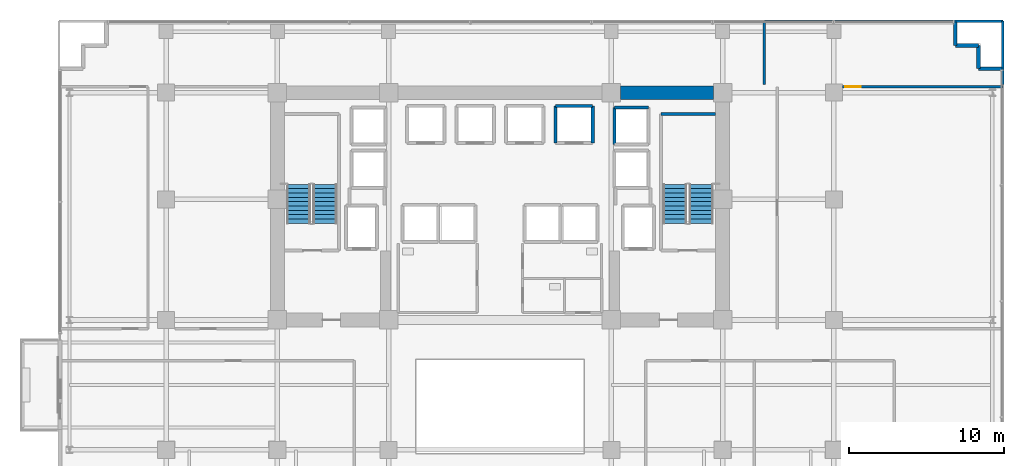
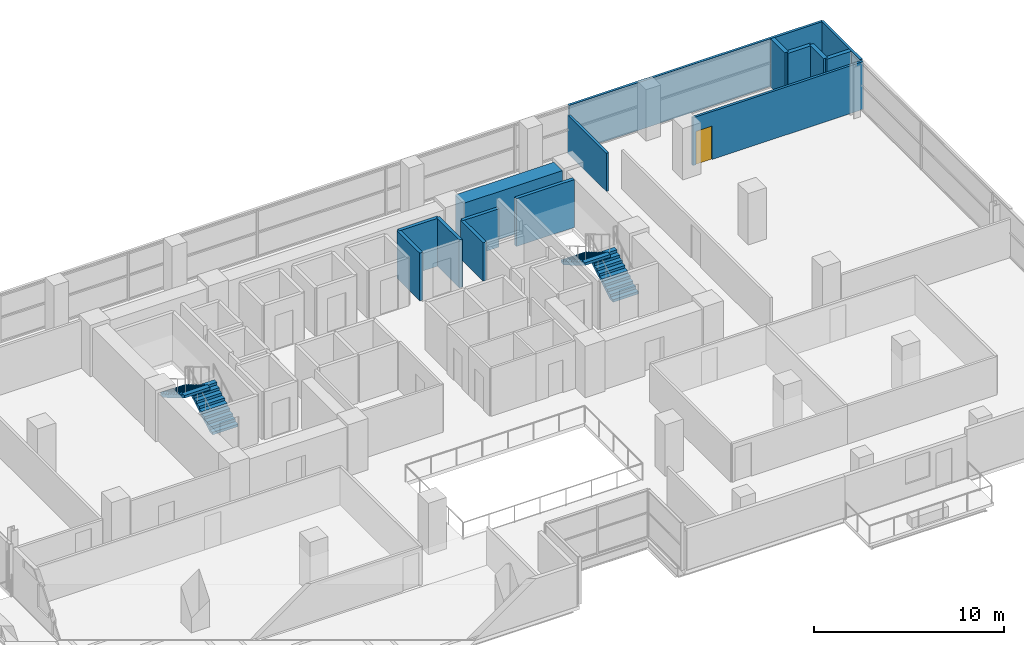
# One storey, part 27 of 31: 15 walls, 4 stair flights, 1 door, 1 opening, 2 elements without a shape of their own.
"""IFC4 building model written with IfcOpenShell, lengths in metres."""

from ifc_helpers import new_model, si_unit, direction, frame, frame_2d, origin, place, context, subcontext, project, spatial, polyline, rectangle, outline, extrude, source, transform, mapped, material, layer, layer_set, type_object, element, fill, aggregate, save


model = new_model("IFC4")

# Units and contexts
model_context = context("Model", 3, precision=1e-05, world=origin(), true_north=direction((0.0, 1.0)))
body_context = subcontext(model_context, "Body", "Model", "MODEL_VIEW")
ifc_project = project(units=[si_unit("LENGTHUNIT", "METRE"), si_unit("AREAUNIT", "SQUARE_METRE"), si_unit("VOLUMEUNIT", "CUBIC_METRE"), si_unit("PLANEANGLEUNIT", "RADIAN"), si_unit("MASSUNIT", "GRAM", prefix="KILO")], contexts=[model_context])

# Site, building, storey
site_placement = place(None, origin())
site = spatial("IfcSite", under=ifc_project, at=site_placement, CompositionType="ELEMENT")
building_placement = place(site_placement, origin())
building = spatial("IfcBuilding", under=site, at=building_placement, Name="Zarnakvel Exchange Tower", CompositionType="ELEMENT")
storey_placement = place(building_placement, frame((0.0, 0.0, 60.39990234375)))
storey = spatial("IfcBuildingStorey", under=building, at=storey_placement, Name="L16", CompositionType="ELEMENT", Elevation=60.39990234375)

# Walls
ifc_material_1 = material(Name="Concrete C80/95", Category="concrete")
ifc_layer_1 = layer(ifc_material_1, 0.89990234375)
ifc_layer_set_1 = layer_set([ifc_layer_1], Name="Concrete C80/95")
wall_type_1 = type_object("IfcWallType", Name="CW-C1", PredefinedType="SHEAR", material=ifc_layer_set_1)
wall_1_placement = place(storey_placement, frame((7.800048828125, 13.5, 0.0), z_axis=(0.0, 0.0, 1.0), x_axis=(1.0, 0.0, 0.0)))
element("IfcWall", 1, at=wall_1_placement, inside=storey, type_object=wall_type_1, Name="L16 Rear Core Shear Wall N3 (CW-C1)", PredefinedType="SHEAR", context=body_context, shape_type="SweptSolid", body=[
    extrude(rectangle(XDim=6.0, YDim=0.89990234375, at=frame_2d((3.0, 0.0))), origin(), (0.0, 0.0, 1.0), 3.0751953125),
])
ifc_material_2 = material(Name="Precast concrete C40/50", Category="concrete")
ifc_layer_2 = layer(ifc_material_2, 0.239990234375)
ifc_layer_set_2 = layer_set([ifc_layer_2], Name="Precast concrete C40/50")
wall_type_2 = type_object("IfcWallType", Name="EW-02", PredefinedType="SOLIDWALL", material=ifc_layer_set_2)
for number, where, z_axis, x_axis, name in (
    (2, (29.4599609375, 16.56005859375, 0.0), (0.0, 0.0, 1.0), (0.0, 1.0, 0.0), "L16 Exterior Precast Spandrel Wall EWC-L16-07 (EW-02)"),
    (3, (30.9599609375, 16.56005859375, 0.0), (0.0, 0.0, 1.0), (-1.0, 0.0, 0.0), "L16 Exterior Precast Spandrel Wall EWC-L16-08 (EW-02)"),
    (4, (30.9599609375, 15.06005859375, 0.0), (0.0, 0.0, 1.0), (0.0, 1.0, 0.0), "L16 Exterior Precast Spandrel Wall EWC-L16-09 (EW-02)"),
    (5, (32.4599609375, 15.06005859375, 0.0), (0.0, 0.0, 1.0), (-1.0, 0.0, 0.0), "L16 Exterior Precast Spandrel Wall EWC-L16-10 (EW-02)"),
):
    element("IfcWall", number, at=place(storey_placement, frame(where, z_axis=z_axis, x_axis=x_axis)), inside=storey, type_object=wall_type_2, Name=name, PredefinedType="SOLIDWALL", context=body_context, shape_type="SweptSolid", body=[
        extrude(rectangle(XDim=1.5, YDim=0.239990234375, at=frame_2d((0.75, 0.0))), origin(), (0.0, 0.0, 1.0), 3.0751953125),
    ])

# Wall, opening, door
ifc_material_3 = material(Name="Fire-Rated Gypsum Stud Partition", Category="gypsum")
ifc_layer_3 = layer(ifc_material_3, 0.14990234375)
ifc_layer_set_3 = layer_set([ifc_layer_3], Name="Fire-Rated Gypsum Stud Partition")
wall_type_3 = type_object("IfcWallType", Name="PT-01", PredefinedType="PARTITIONING", material=ifc_layer_set_3)
wall_2_placement = place(storey_placement, frame((22.169921875, 13.8798828125, 0.0), z_axis=(0.0, 0.0, 1.0), x_axis=(1.0, 0.0, 0.0)))
wall_2 = element("IfcWall", 6, at=wall_2_placement, inside=storey, type_object=wall_type_3, Name="L16 Partition Wall PWALL-L16-046 (PT-01)", PredefinedType="PARTITIONING", context=body_context, shape_type="SweptSolid", body=[
    extrude(rectangle(XDim=10.360107421875, YDim=0.14990234375, at=frame_2d((5.18017578125, 0.0))), origin(), (0.0, 0.0, 1.0), 3.0751953125),
])
opening_placement = place(wall_2_placement, frame((0.179931640625, 0.0, 0.0)))
opening = element("IfcOpeningElement", 7, at=opening_placement, cuts=wall_2, Name="Opening D-L16-18", PredefinedType="OPENING", context=body_context, shape_type="SweptSolid", body=[
    extrude(rectangle(XDim=0.97998046875, YDim=2.14990234375, at=frame_2d((0.489990234375, 1.074951171875))), frame((0.0, 0.0849609375, 0.0), z_axis=(0.0, -1.0, 0.0), x_axis=(1.0, 0.0, 0.0)), (0.0, 0.0, 1.0), 0.169921875),
])
ifc_material_4 = material(Name="Timber Acoustic Veneer", Category="wood")
door_type = type_object("IfcDoorType", Name="DT-05", OperationType="NOTDEFINED", PredefinedType="DOOR", material=ifc_material_4)
shared_shape = source(origin(), body_context, "Body", "SweptSolid", [
    extrude(rectangle(XDim=0.97998046875, YDim=2.14990234375, at=frame_2d((0.489990234375, 1.074951171875))), frame((0.0, 0.02490234375, 0.0), z_axis=(0.0, -1.0, 0.0), x_axis=(1.0, 0.0, 0.0)), (0.0, 0.0, 1.0), 0.050048828125),
])
door_placement = place(opening_placement, origin())
door = element("IfcDoor", 8, at=door_placement, inside=storey, type_object=door_type, Name="L16 Breakout Lounge Door D-L16-18", OperationType="SINGLE_SWING_RIGHT", OverallHeight=2.14990234375, OverallWidth=0.97998046875, PredefinedType="DOOR", context=body_context, shape_type="MappedRepresentation", body=[
    mapped(shared_shape, transform((0.0, 0.0, 0.0), x_axis=(1.0, 0.0, 0.0), y_axis=(0.0, 1.0, 0.0), z_axis=(0.0, 0.0, 1.0), scale=1.0)),
])
fill(opening, door)

# Walls
wall_3_placement = place(storey_placement, frame((17.10009765625, 18.1298828125, 0.0), z_axis=(0.0, 0.0, 1.0), x_axis=(0.0, -1.0, 0.0)))
element("IfcWall", 9, at=wall_3_placement, inside=storey, type_object=wall_type_3, Name="L16 Partition Wall PWALL-L16-051 (PT-01)", PredefinedType="PARTITIONING", context=body_context, shape_type="SweptSolid", body=[
    extrude(rectangle(XDim=4.099853515625, YDim=0.14990234375, at=frame_2d((2.0498046875, 0.0))), origin(), (0.0, 0.0, 1.0), 2.465087890625),
])
wall_4_placement = place(storey_placement, frame((17.10009765625, 18.1298828125, 0.0), z_axis=(0.0, 0.0, 1.0), x_axis=(1.0, 0.0, 0.0)))
element("IfcWall", 10, at=wall_4_placement, inside=storey, type_object=wall_type_3, Name="L16 Partition Wall PWALL-L16-052 (PT-01)", PredefinedType="PARTITIONING", context=body_context, shape_type="SweptSolid", body=[
    extrude(rectangle(XDim=15.429931640625, YDim=0.14990234375, at=frame_2d((7.71484375, 0.0))), origin(), (0.0, 0.0, 1.0), 3.0751953125),
])
wall_5_placement = place(storey_placement, frame((32.530029296875, 18.1298828125, 0.0), z_axis=(0.0, 0.0, 1.0), x_axis=(0.0, -1.0, 0.0)))
element("IfcWall", 11, at=wall_5_placement, inside=storey, type_object=wall_type_3, Name="L16 Partition Wall PWALL-L16-053 (PT-01)", PredefinedType="PARTITIONING", context=body_context, shape_type="SweptSolid", body=[
    extrude(rectangle(XDim=4.099853515625, YDim=0.14990234375, at=frame_2d((2.0498046875, 0.0))), origin(), (0.0, 0.0, 1.0), 3.0751953125),
])
ifc_material_5 = material(Name="Concrete C40/50", Category="concrete")
ifc_layer_4 = layer(ifc_material_5, 0.199951171875)
ifc_layer_set_4 = layer_set([ifc_layer_4], Name="Concrete C40/50")
wall_type_4 = type_object("IfcWallType", Name="SW-01", PredefinedType="SOLIDWALL", material=ifc_layer_set_4)
for number, where, z_axis, x_axis, name in (
    (12, (3.60009765625, 12.64990234375, 0.0), (0.0, 0.0, 1.0), (1.0, 0.0, 0.0), "L16 PL-04 Hoistway Wall North"),
    (13, (3.60009765625, 10.25, 0.0), (0.0, 0.0, 1.0), (0.0, 1.0, 0.0), "L16 PL-04 Hoistway Wall West"),
    (14, (6.0, 12.64990234375, 0.0), (0.0, 0.0, 1.0), (0.0, -1.0, 0.0), "L16 PL-04 Hoistway Wall East"),
):
    element("IfcWall", number, at=place(storey_placement, frame(where, z_axis=z_axis, x_axis=x_axis)), inside=storey, type_object=wall_type_4, Name=name, PredefinedType="SOLIDWALL", context=body_context, shape_type="SweptSolid", body=[
        extrude(rectangle(XDim=2.39990234375, YDim=0.199951171875, at=frame_2d((1.199951171875, 0.0))), origin(), (0.0, 0.0, 1.0), 3.0751953125),
    ])
wall_6_placement = place(storey_placement, frame((7.39990234375, 12.550048828125, 0.0), z_axis=(0.0, 0.0, 1.0), x_axis=(1.0, 0.0, 0.0)))
element("IfcWall", 15, at=wall_6_placement, inside=storey, type_object=wall_type_4, Name="L16 PL-12 Hoistway Wall North", PredefinedType="SOLIDWALL", context=body_context, shape_type="SweptSolid", body=[
    extrude(rectangle(XDim=2.2001953125, YDim=0.199951171875, at=frame_2d((1.10009765625, 0.0))), origin(), (0.0, 0.0, 1.0), 2.465087890625),
])
wall_7_placement = place(storey_placement, frame((7.39990234375, 10.14990234375, 0.0), z_axis=(0.0, 0.0, 1.0), x_axis=(0.0, 1.0, 0.0)))
element("IfcWall", 16, at=wall_7_placement, inside=storey, type_object=wall_type_4, Name="L16 PL-12 Hoistway Wall West", PredefinedType="SOLIDWALL", context=body_context, shape_type="SweptSolid", body=[
    extrude(rectangle(XDim=2.400146484375, YDim=0.199951171875, at=frame_2d((1.2001953125, 0.0))), origin(), (0.0, 0.0, 1.0), 2.465087890625),
])
ifc_layer_5 = layer(ifc_material_5, 0.199951171875)
ifc_layer_set_5 = layer_set([ifc_layer_5], Name="Concrete C40/50")
wall_type_5 = type_object("IfcWallType", Name="SW-02", PredefinedType="SOLIDWALL", material=ifc_layer_set_5)
wall_8_placement = place(storey_placement, frame((10.409912109375, 12.1298828125, 0.0), z_axis=(0.0, 0.0, 1.0), x_axis=(1.0, 0.0, 0.0)))
element("IfcWall", 17, at=wall_8_placement, inside=storey, type_object=wall_type_5, Name="L16 Stairwell Core Wall PWALL-L16-005 (SW-02)", PredefinedType="SOLIDWALL", context=body_context, shape_type="SweptSolid", body=[
    extrude(rectangle(XDim=3.52001953125, YDim=0.199951171875, at=frame_2d((1.760009765625, 0.0))), origin(), (0.0, 0.0, 1.0), 3.0751953125),
])

# Stair, stair flights
stair_type = type_object("IfcStairType", Name="STR-01", PredefinedType="HALF_TURN_STAIR", material=ifc_material_5)
stair_1_placement = place(storey_placement, origin())
stair_1 = element("IfcStair", 18, at=stair_1_placement, inside=storey, type_object=stair_type, Name="L16 Protected Core Exit Stair ST-01", PredefinedType="HALF_TURN_STAIR")
stair_flight_type = type_object("IfcStairFlightType", Name="FLT-01", PredefinedType="STRAIGHT", material=ifc_material_5)
stair_flight_1_placement = place(storey_placement, frame((-11.31494140625, 5.050048828125, 0.0), z_axis=(0.0, 0.0, 1.0), x_axis=(0.0, 1.0, 0.0)))
stair_flight_1 = element("IfcStairFlight", 19, at=stair_flight_1_placement, type_object=stair_flight_type, Name="ST-01 flight 1", NumberOfRisers=10, NumberOfTreads=9, PredefinedType="STRAIGHT", RiserHeight=0.165, TreadLength=0.28, context=body_context, shape_type="SweptSolid", body=[
    extrude(outline(polyline([(0.0, 0.0), (0.0, 0.1650390625), (0.280029296875, 0.1650390625), (0.280029296875, 0.330078125), (0.56005859375, 0.330078125), (0.56005859375, 0.4951171875), (0.840087890625, 0.4951171875), (0.840087890625, 0.659912109375), (1.1201171875, 0.659912109375), (1.1201171875, 0.824951171875), (1.39990234375, 0.824951171875), (1.39990234375, 0.989990234375), (1.679931640625, 0.989990234375), (1.679931640625, 1.155029296875), (1.9599609375, 1.155029296875), (1.9599609375, 1.320068359375), (2.239990234375, 1.320068359375), (2.239990234375, 1.485107421875), (2.52001953125, 1.485107421875), (2.52001953125, 1.64990234375), (2.52001953125, 1.31103515625), (0.295166015625, 0.0), (0.0, 0.0)])), frame((0.0, 0.77490234375, 0.0), z_axis=(0.0, -1.0, 0.0), x_axis=(1.0, 0.0, 0.0)), (0.0, 0.0, 1.0), 1.550048828125),
])
stair_flight_2_placement = place(storey_placement, frame((-13.02490234375, 7.570068359375, 1.650146484375), z_axis=(0.0, 0.0, 1.0), x_axis=(0.0, -1.0, 0.0)))
stair_flight_2 = element("IfcStairFlight", 20, at=stair_flight_2_placement, type_object=stair_flight_type, Name="ST-01 flight 2", NumberOfRisers=10, NumberOfTreads=9, PredefinedType="STRAIGHT", RiserHeight=0.165, TreadLength=0.28, context=body_context, shape_type="SweptSolid", body=[
    extrude(outline(polyline([(0.0, 0.0), (0.0, 0.1650390625), (0.280029296875, 0.1650390625), (0.280029296875, 0.330078125), (0.56005859375, 0.330078125), (0.56005859375, 0.4951171875), (0.840087890625, 0.4951171875), (0.840087890625, 0.659912109375), (1.1201171875, 0.659912109375), (1.1201171875, 0.824951171875), (1.39990234375, 0.824951171875), (1.39990234375, 0.989990234375), (1.679931640625, 0.989990234375), (1.679931640625, 1.155029296875), (1.9599609375, 1.155029296875), (1.9599609375, 1.320068359375), (2.239990234375, 1.320068359375), (2.239990234375, 1.485107421875), (2.52001953125, 1.485107421875), (2.52001953125, 1.64990234375), (2.52001953125, 1.31103515625), (0.295166015625, 0.0), (0.0, 0.0)])), frame((0.0, 0.77490234375, 0.0), z_axis=(0.0, -1.0, 0.0), x_axis=(1.0, 0.0, 0.0)), (0.0, 0.0, 1.0), 1.550048828125),
])
aggregate(stair_1, [stair_flight_1, stair_flight_2])

stair_2_placement = place(storey_placement, origin())
stair_2 = element("IfcStair", 21, at=stair_2_placement, inside=storey, type_object=stair_type, Name="L16 Protected Core Exit Stair ST-02", PredefinedType="HALF_TURN_STAIR")
stair_flight_3_placement = place(storey_placement, frame((13.02490234375, 5.050048828125, 0.0), z_axis=(0.0, 0.0, 1.0), x_axis=(0.0, 1.0, 0.0)))
stair_flight_3 = element("IfcStairFlight", 22, at=stair_flight_3_placement, type_object=stair_flight_type, Name="ST-02 flight 1", NumberOfRisers=10, NumberOfTreads=9, PredefinedType="STRAIGHT", RiserHeight=0.165, TreadLength=0.28, context=body_context, shape_type="SweptSolid", body=[
    extrude(outline(polyline([(0.0, 0.0), (0.0, 0.1650390625), (0.280029296875, 0.1650390625), (0.280029296875, 0.330078125), (0.56005859375, 0.330078125), (0.56005859375, 0.4951171875), (0.840087890625, 0.4951171875), (0.840087890625, 0.659912109375), (1.1201171875, 0.659912109375), (1.1201171875, 0.824951171875), (1.39990234375, 0.824951171875), (1.39990234375, 0.989990234375), (1.679931640625, 0.989990234375), (1.679931640625, 1.155029296875), (1.9599609375, 1.155029296875), (1.9599609375, 1.320068359375), (2.239990234375, 1.320068359375), (2.239990234375, 1.485107421875), (2.52001953125, 1.485107421875), (2.52001953125, 1.64990234375), (2.52001953125, 1.31103515625), (0.295166015625, 0.0), (0.0, 0.0)])), frame((0.0, 0.77490234375, 0.0), z_axis=(0.0, -1.0, 0.0), x_axis=(1.0, 0.0, 0.0)), (0.0, 0.0, 1.0), 1.550048828125),
])
stair_flight_4_placement = place(storey_placement, frame((11.31494140625, 7.570068359375, 1.650146484375), z_axis=(0.0, 0.0, 1.0), x_axis=(0.0, -1.0, 0.0)))
stair_flight_4 = element("IfcStairFlight", 23, at=stair_flight_4_placement, type_object=stair_flight_type, Name="ST-02 flight 2", NumberOfRisers=10, NumberOfTreads=9, PredefinedType="STRAIGHT", RiserHeight=0.165, TreadLength=0.28, context=body_context, shape_type="SweptSolid", body=[
    extrude(outline(polyline([(0.0, 0.0), (0.0, 0.1650390625), (0.280029296875, 0.1650390625), (0.280029296875, 0.330078125), (0.56005859375, 0.330078125), (0.56005859375, 0.4951171875), (0.840087890625, 0.4951171875), (0.840087890625, 0.659912109375), (1.1201171875, 0.659912109375), (1.1201171875, 0.824951171875), (1.39990234375, 0.824951171875), (1.39990234375, 0.989990234375), (1.679931640625, 0.989990234375), (1.679931640625, 1.155029296875), (1.9599609375, 1.155029296875), (1.9599609375, 1.320068359375), (2.239990234375, 1.320068359375), (2.239990234375, 1.485107421875), (2.52001953125, 1.485107421875), (2.52001953125, 1.64990234375), (2.52001953125, 1.31103515625), (0.295166015625, 0.0), (0.0, 0.0)])), frame((0.0, 0.77490234375, 0.0), z_axis=(0.0, -1.0, 0.0), x_axis=(1.0, 0.0, 0.0)), (0.0, 0.0, 1.0), 1.550048828125),
])
aggregate(stair_2, [stair_flight_3, stair_flight_4])

save(model, "model.ifc")
